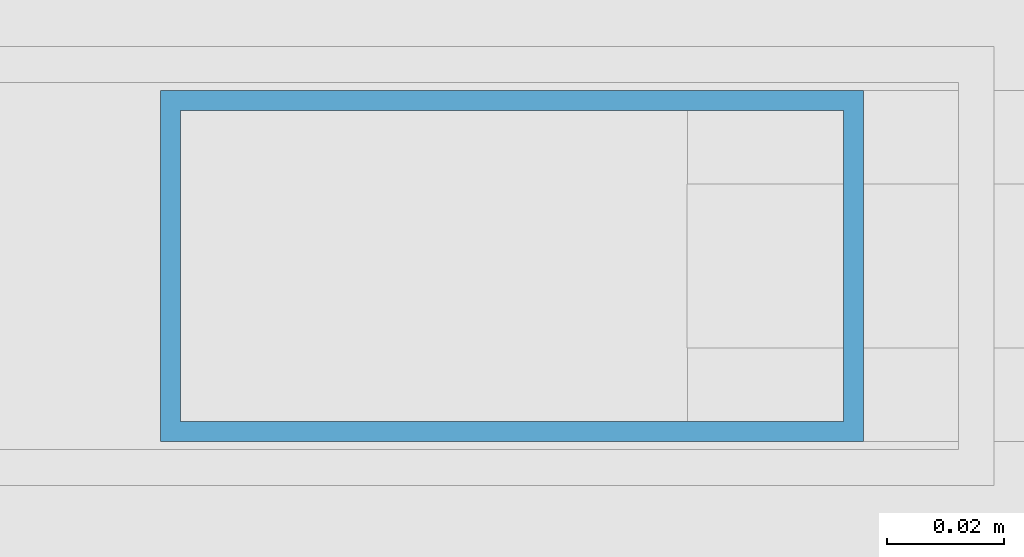
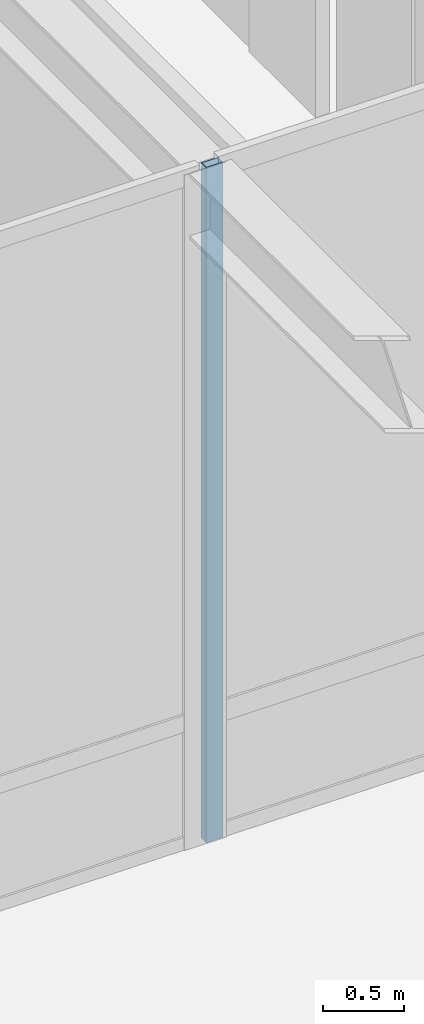
# One storey, part 36 of 143: 1 member, 1 element without a shape of its own.
"""IFC4 building model written with IfcOpenShell, lengths in metres."""

from ifc_helpers import new_model, si_unit, direction, frame, origin, origin_2d, place, context, subcontext, project, spatial, hollow_rectangle, extrude, material, layer, layer_set, material_profile, profile_set, type_object, element, aggregate, save


model = new_model("IFC4")

# Units and contexts
model_context = context("Model", 3, precision=1e-05, world=origin(), true_north=direction((0.0, 1.0)))
body_context = subcontext(model_context, "Body", "Model", "MODEL_VIEW")
ifc_project = project(units=[si_unit("LENGTHUNIT", "METRE"), si_unit("AREAUNIT", "SQUARE_METRE"), si_unit("VOLUMEUNIT", "CUBIC_METRE"), si_unit("PLANEANGLEUNIT", "RADIAN"), si_unit("MASSUNIT", "GRAM", prefix="KILO")], contexts=[model_context])

# Site, building, storey
site_placement = place(None, origin())
site = spatial("IfcSite", under=ifc_project, at=site_placement, CompositionType="ELEMENT")
building_placement = place(site_placement, origin())
building = spatial("IfcBuilding", under=site, at=building_placement, Name="Montelvaro Courts of Justice", CompositionType="ELEMENT")
storey_placement = place(building_placement, origin())
storey = spatial("IfcBuildingStorey", under=building, at=storey_placement, Name="L00", CompositionType="ELEMENT", Elevation=0.0)

# Curtain wall, member
ifc_material = material(Name="Anodised aluminium EN AW-6063", Category="aluminium")
ifc_layer = layer(ifc_material, 0.159912109375)
ifc_layer_set = layer_set([ifc_layer], Name="Anodised aluminium EN AW-6063")
curtain_wall_type = type_object("IfcCurtainWallType", Name="CurtainWall_10_896x508", PredefinedType="USERDEFINED", material=ifc_layer_set)
curtain_wall_placement = place(storey_placement, origin())
curtain_wall = element("IfcCurtainWall", 1, at=curtain_wall_placement, inside=storey, type_object=curtain_wall_type, Name="Curtain Wall CW-10 (L00)", ObjectType="CURTAIN WALL", PredefinedType="USERDEFINED")
ifc_material_profile = material_profile(ifc_material, hollow_rectangle(XDim=0.06005859375, YDim=0.1201171875, WallThickness=0.00341796875, at=origin_2d()), Name="ALU-M 60x120")
ifc_profile_set = profile_set([ifc_material_profile], Name="Anodised aluminium EN AW-6063")
member_type = type_object("IfcMemberType", Name="CurtainWall_Mullion_60x120", PredefinedType="MULLION", material=ifc_profile_set)
member_placement = place(storey_placement, frame((126.030029296875, 3.800048828125, 0.0), z_axis=(0.0, 0.0, 1.0), x_axis=(0.0, 1.0, 0.0)))
member = element("IfcMember", 2, at=member_placement, type_object=member_type, Name="CW-10 mullion 1", PredefinedType="MULLION", context=body_context, shape_type="SweptSolid", body=[
    extrude(hollow_rectangle(XDim=0.06005859375, YDim=0.1201171875, WallThickness=0.00341796875, at=origin_2d()), origin(), (0.0, 0.0, 1.0), 5.080078125),
])
aggregate(curtain_wall, [member])

save(model, "model.ifc")
